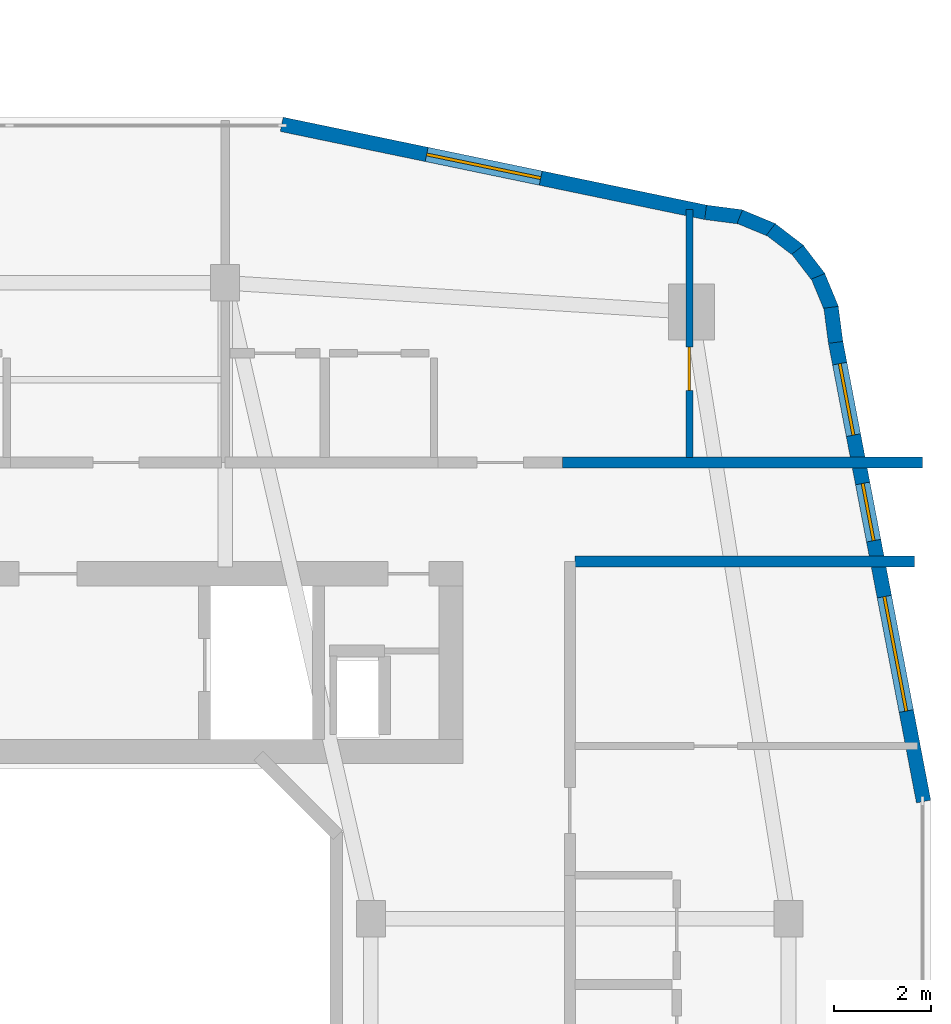
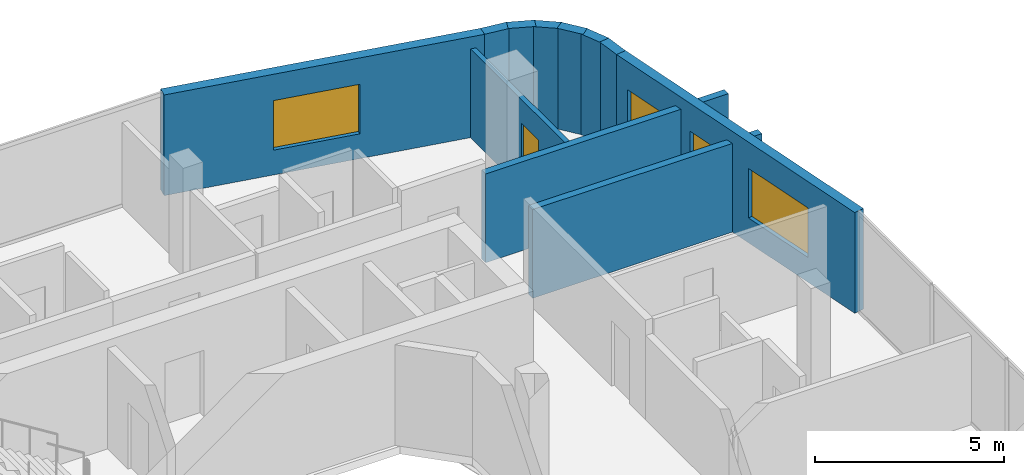
# One storey, part 21 of 27: 11 walls, 4 windows, 1 door, 5 openings.
"""IFC4 building model written with IfcOpenShell, lengths in metres."""

from ifc_helpers import new_model, si_unit, derived_unit, direction, frame, frame_2d, origin, place, context, subcontext, project, spatial, rectangle, extrude, material, layer, layer_set, type_object, element, fill, save


model = new_model("IFC4")

# Units and contexts
model_context = context("Model", 3, precision=1e-05, world=origin(), true_north=direction((0.0, 1.0)))
body_context = subcontext(model_context, "Body", "Model", "MODEL_VIEW")
ifc_project = project(units=[si_unit("LENGTHUNIT", "METRE"), si_unit("AREAUNIT", "SQUARE_METRE"), si_unit("VOLUMEUNIT", "CUBIC_METRE"), si_unit("PLANEANGLEUNIT", "RADIAN"), si_unit("MASSUNIT", "GRAM", prefix="KILO"), derived_unit("THERMALTRANSMITTANCEUNIT", [(si_unit("POWERUNIT", "WATT"), 1), (si_unit("LENGTHUNIT", "METRE"), -2), (si_unit("THERMODYNAMICTEMPERATUREUNIT", "KELVIN"), -1)])], contexts=[model_context])

# Site, building, storey
site_placement = place(None, origin())
site = spatial("IfcSite", under=ifc_project, at=site_placement, CompositionType="ELEMENT")
building_placement = place(site_placement, origin())
building = spatial("IfcBuilding", under=site, at=building_placement, Name="Kivonza Crest Hotel", CompositionType="ELEMENT")
storey_placement = place(building_placement, frame((0.0, 0.0, 73.0)))
storey = spatial("IfcBuildingStorey", under=building, at=storey_placement, Name="L19", CompositionType="ELEMENT", Elevation=73.0)

# Walls
ifc_material_1 = material(Name="Autoclaved aerated concrete blockwork", Category="masonry")
ifc_layer_1 = layer(ifc_material_1, 0.219970703125)
ifc_layer_set_1 = layer_set([ifc_layer_1], Name="Autoclaved aerated concrete blockwork")
wall_type_1 = type_object("IfcWallType", Name="WL-ACOU-220", PredefinedType="SOLIDWALL", material=ifc_layer_set_1)
wall_1_placement = place(storey_placement, frame((88.35009765625, 37.89990234375, 0.0), z_axis=(0.0, 0.0, 1.0), x_axis=(1.0, 0.0, 0.0)))
element("IfcWall", 1, at=wall_1_placement, inside=storey, type_object=wall_type_1, Name="L19 interior partition WA-L19-A03-RCORR", PredefinedType="SOLIDWALL", context=body_context, shape_type="SweptSolid", body=[
    extrude(rectangle(XDim=7.409912109375, YDim=0.219970703125, at=frame_2d((3.705078125, 0.0))), origin(), (0.0, 0.0, 1.0), 2.864990234375),
])
wall_2_placement = place(storey_placement, frame((88.60009765625, 35.860107421875, 0.0), z_axis=(0.0, 0.0, 1.0), x_axis=(1.0, 0.0, 0.0)))
element("IfcWall", 2, at=wall_2_placement, inside=storey, type_object=wall_type_1, Name="L19 interior partition WA-L19-T2E-ENDN", PredefinedType="SOLIDWALL", context=body_context, shape_type="SweptSolid", body=[
    extrude(rectangle(XDim=7.0, YDim=0.219970703125, at=frame_2d((3.5, 0.0))), origin(), (0.0, 0.0, 1.0), 2.864990234375),
])

# Wall, openings, windows
ifc_material_2 = material(Name="Precast concrete C40/50", Category="concrete")
ifc_layer_2 = layer(ifc_material_2, 0.300048828125)
ifc_layer_set_2 = layer_set([ifc_layer_2], Name="Precast concrete C40/50")
wall_type_2 = type_object("IfcWallType", Name="WL-EXT-300", PredefinedType="STANDARD", material=ifc_layer_set_2)
wall_3_placement = place(storey_placement, frame((95.782958984375, 30.91796875, 0.0), z_axis=(0.0, 0.0, 1.0), x_axis=(-0.188087874316, 0.982152203854, 0.0)))
wall_3 = element("IfcWall", 3, at=wall_3_placement, inside=storey, type_object=wall_type_2, Name="L19 T2 exterior insulated wall 18", PredefinedType="STANDARD", context=body_context, shape_type="SweptSolid", body=[
    extrude(rectangle(XDim=9.6337890625, YDim=0.300048828125, at=frame_2d((4.81689453125, 0.0))), origin(), (0.0, 0.0, 1.0), 3.25),
])
opening_1_placement = place(wall_3_placement, frame((1.89697265625, 0.0, 0.800048828125)))
opening_1 = element("IfcOpeningElement", 4, at=opening_1_placement, cuts=wall_3, Name="Opening WN-05", PredefinedType="OPENING", context=body_context, shape_type="SweptSolid", body=[
    extrude(rectangle(XDim=2.39990234375, YDim=1.60009765625, at=frame_2d((1.199951171875, 0.800048828125))), frame((0.0, 0.16015625, 0.0), z_axis=(0.0, -1.0, 0.0), x_axis=(1.0, 0.0, 0.0)), (0.0, 0.0, 1.0), 0.320068359375),
])
opening_2_placement = place(wall_3_placement, frame((5.469970703125, 0.0, 0.85009765625)))
opening_2 = element("IfcOpeningElement", 5, at=opening_2_placement, cuts=wall_3, Name="Opening WN-01", PredefinedType="OPENING", context=body_context, shape_type="SweptSolid", body=[
    extrude(rectangle(XDim=1.199951171875, YDim=1.5, at=frame_2d((0.60009765625, 0.75))), frame((0.0, 0.16015625, 0.0), z_axis=(0.0, -1.0, 0.0), x_axis=(1.0, 0.0, 0.0)), (0.0, 0.0, 1.0), 0.320068359375),
])
opening_3_placement = place(wall_3_placement, frame((7.681884765625, 0.0, 0.85009765625)))
opening_3 = element("IfcOpeningElement", 6, at=opening_3_placement, cuts=wall_3, Name="Opening WN-02", PredefinedType="OPENING", context=body_context, shape_type="SweptSolid", body=[
    extrude(rectangle(XDim=1.5, YDim=1.5, at=frame_2d((0.75, 0.75))), frame((0.0, 0.16015625, 0.0), z_axis=(0.0, -1.0, 0.0), x_axis=(1.0, 0.0, 0.0)), (0.0, 0.0, 1.0), 0.320068359375),
])
ifc_material_3 = material(Name="Thermally broken bronze aluminium and low-E double glazing", Category="aluminium")
window_type_1 = type_object("IfcWindowType", Name="WN-120x150", PartitioningType="SINGLE_PANEL", PredefinedType="WINDOW", material=ifc_material_3)
window_1_placement = place(opening_2_placement, origin())
window_1 = element("IfcWindow", 7, at=window_1_placement, inside=storey, type_object=window_type_1, Name="L19 T2 facade window 18 bay 2", OverallHeight=1.5, OverallWidth=1.199951171875, PartitioningType="SINGLE_PANEL", PredefinedType="WINDOW", context=body_context, shape_type="SweptSolid", body=[
    extrude(rectangle(XDim=1.199951171875, YDim=1.5, at=frame_2d((0.60009765625, 0.75))), frame((0.0, 0.030029296875, 0.0), z_axis=(0.0, -1.0, 0.0), x_axis=(1.0, 0.0, 0.0)), (0.0, 0.0, 1.0), 0.06005859375),
])
fill(opening_2, window_1)
window_type_2 = type_object("IfcWindowType", Name="WN-150x150", PartitioningType="DOUBLE_PANEL_VERTICAL", PredefinedType="WINDOW", material=ifc_material_3)
window_2_placement = place(opening_3_placement, origin())
window_2 = element("IfcWindow", 8, at=window_2_placement, inside=storey, type_object=window_type_2, Name="L19 T2 facade window 18 bay 3", OverallHeight=1.5, OverallWidth=1.5, PartitioningType="SINGLE_PANEL", PredefinedType="WINDOW", context=body_context, shape_type="SweptSolid", body=[
    extrude(rectangle(XDim=1.5, YDim=1.5, at=frame_2d((0.75, 0.75))), frame((0.0, 0.030029296875, 0.0), z_axis=(0.0, -1.0, 0.0), x_axis=(1.0, 0.0, 0.0)), (0.0, 0.0, 1.0), 0.06005859375),
])
fill(opening_3, window_2)
window_type_3 = type_object("IfcWindowType", Name="WN-240x160", PartitioningType="TRIPLE_PANEL_VERTICAL", PredefinedType="WINDOW", material=ifc_material_3)
window_3_placement = place(opening_1_placement, origin())
window_3 = element("IfcWindow", 9, at=window_3_placement, inside=storey, type_object=window_type_3, Name="L19 T2 facade window 18 bay 1", OverallHeight=1.60009765625, OverallWidth=2.39990234375, PartitioningType="SINGLE_PANEL", PredefinedType="WINDOW", context=body_context, shape_type="SweptSolid", body=[
    extrude(rectangle(XDim=2.39990234375, YDim=1.60009765625, at=frame_2d((1.199951171875, 0.800048828125))), frame((0.0, 0.030029296875, 0.0), z_axis=(0.0, -1.0, 0.0), x_axis=(1.0, 0.0, 0.0)), (0.0, 0.0, 1.0), 0.06005859375),
])
fill(opening_1, window_3)

# Walls
wall_4_placement = place(storey_placement, frame((93.971923828125, 40.373046875, 0.0), z_axis=(0.0, 0.0, 1.0), x_axis=(-0.130255288807, 0.991480488834, 0.0)))
element("IfcWall", 10, at=wall_4_placement, inside=storey, type_object=wall_type_2, Name="L19 T2 exterior insulated wall 19", PredefinedType="STANDARD", context=body_context, shape_type="SweptSolid", body=[
    extrude(rectangle(XDim=0.72900390625, YDim=0.300048828125, at=frame_2d((0.364501953125, 0.0))), origin(), (0.0, 0.0, 1.0), 3.25),
])
wall_5_placement = place(storey_placement, frame((93.89599609375, 41.044921875, 0.0), z_axis=(0.0, 0.0, 1.0), x_axis=(-0.383267045233, 0.923637576129, 0.0)))
element("IfcWall", 11, at=wall_5_placement, inside=storey, type_object=wall_type_2, Name="L19 T2 exterior insulated wall 20", PredefinedType="STANDARD", context=body_context, shape_type="SweptSolid", body=[
    extrude(rectangle(XDim=0.745849609375, YDim=0.300048828125, at=frame_2d((0.373046875, 0.0))), origin(), (0.0, 0.0, 1.0), 3.25),
])
for number, where, z_axis, x_axis, name in (
    (12, (93.64111328125, 41.68896484375, 0.0), (0.0, 0.0, 1.0), (-0.608603261071, 0.793474681772, 0.0), "L19 T2 exterior insulated wall 21"),
    (13, (93.22900390625, 42.24609375, 0.0), (0.0, 0.0, 1.0), (-0.79363269798, 0.608397189915, 0.0), "L19 T2 exterior insulated wall 22"),
):
    element("IfcWall", number, at=place(storey_placement, frame(where, z_axis=z_axis, x_axis=x_axis)), inside=storey, type_object=wall_type_2, Name=name, PredefinedType="STANDARD", context=body_context, shape_type="SweptSolid", body=[
        extrude(rectangle(XDim=0.74609375, YDim=0.300048828125, at=frame_2d((0.373046875, 0.0))), origin(), (0.0, 0.0, 1.0), 3.25),
    ])
wall_6_placement = place(storey_placement, frame((92.68603515625, 42.676025390625, 0.0), z_axis=(0.0, 0.0, 1.0), x_axis=(-0.923637576129, 0.383267045233, 0.0)))
element("IfcWall", 14, at=wall_6_placement, inside=storey, type_object=wall_type_2, Name="L19 T2 exterior insulated wall 23", PredefinedType="STANDARD", context=body_context, shape_type="SweptSolid", body=[
    extrude(rectangle(XDim=0.745849609375, YDim=0.300048828125, at=frame_2d((0.373046875, 0.0))), origin(), (0.0, 0.0, 1.0), 3.25),
])
wall_7_placement = place(storey_placement, frame((92.051025390625, 42.952880859375, 0.0), z_axis=(0.0, 0.0, 1.0), x_axis=(-0.991559404866, 0.129653178221, 0.0)))
element("IfcWall", 15, at=wall_7_placement, inside=storey, type_object=wall_type_2, Name="L19 T2 exterior insulated wall 24", PredefinedType="STANDARD", context=body_context, shape_type="SweptSolid", body=[
    extrude(rectangle(XDim=0.764404296875, YDim=0.300048828125, at=frame_2d((0.38232421875, 0.0))), origin(), (0.0, 0.0, 1.0), 3.25),
])

# Wall, opening, window
wall_8_placement = place(storey_placement, frame((91.298095703125, 43.051025390625, 0.0), z_axis=(0.0, 0.0, 1.0), x_axis=(-0.979128391325, 0.203242695569, 0.0)))
wall_8 = element("IfcWall", 16, at=wall_8_placement, inside=storey, type_object=wall_type_2, Name="L19 T2 exterior insulated wall 25", PredefinedType="STANDARD", context=body_context, shape_type="SweptSolid", body=[
    extrude(rectangle(XDim=8.92041015625, YDim=0.300048828125, at=frame_2d((4.460205078125, 0.0))), origin(), (0.0, 0.0, 1.0), 3.25),
])
opening_4_placement = place(wall_8_placement, frame((3.471923828125, 0.0, 0.800048828125)))
opening_4 = element("IfcOpeningElement", 17, at=opening_4_placement, cuts=wall_8, Name="Opening WN-05", PredefinedType="OPENING", context=body_context, shape_type="SweptSolid", body=[
    extrude(rectangle(XDim=2.39990234375, YDim=1.60009765625, at=frame_2d((1.199951171875, 0.800048828125))), frame((0.0, 0.16015625, 0.0), z_axis=(0.0, -1.0, 0.0), x_axis=(1.0, 0.0, 0.0)), (0.0, 0.0, 1.0), 0.320068359375),
])
window_4_placement = place(opening_4_placement, origin())
window_4 = element("IfcWindow", 18, at=window_4_placement, inside=storey, type_object=window_type_3, Name="L19 T2 facade window 25", OverallHeight=1.60009765625, OverallWidth=2.39990234375, PartitioningType="SINGLE_PANEL", PredefinedType="WINDOW", context=body_context, shape_type="SweptSolid", body=[
    extrude(rectangle(XDim=2.39990234375, YDim=1.60009765625, at=frame_2d((1.199951171875, 0.800048828125))), frame((0.0, 0.030029296875, 0.0), z_axis=(0.0, -1.0, 0.0), x_axis=(1.0, 0.0, 0.0)), (0.0, 0.0, 1.0), 0.06005859375),
])
fill(opening_4, window_4)

# Wall, opening, door
ifc_material_4 = material(Name="Twin-stud acoustic gypsum board partition", Category="gypsum")
ifc_layer_3 = layer(ifc_material_4, 0.14990234375)
ifc_layer_set_3 = layer_set([ifc_layer_3], Name="Twin-stud acoustic gypsum board partition")
wall_type_3 = type_object("IfcWallType", Name="WL-PART-150", PredefinedType="PARTITIONING", material=ifc_layer_set_3)
wall_9_placement = place(storey_placement, frame((90.9599609375, 38.0, 0.0), z_axis=(0.0, 0.0, 1.0), x_axis=(0.0, 1.0, 0.0)))
wall_9 = element("IfcWall", 19, at=wall_9_placement, inside=storey, type_object=wall_type_3, Name="L19 interior partition WP-L19-A03-BDW1", PredefinedType="PARTITIONING", context=body_context, shape_type="SweptSolid", body=[
    extrude(rectangle(XDim=5.113037109375, YDim=0.14990234375, at=frame_2d((2.556640625, 0.0))), origin(), (0.0, 0.0, 1.0), 2.864990234375),
])
opening_5_placement = place(wall_9_placement, frame((1.3798828125, 0.0, 0.0)))
opening_5 = element("IfcOpeningElement", 20, at=opening_5_placement, cuts=wall_9, Name="Opening DI-90", PredefinedType="OPENING", context=body_context, shape_type="SweptSolid", body=[
    extrude(rectangle(XDim=0.89990234375, YDim=2.10009765625, at=frame_2d((0.449951171875, 1.050048828125))), frame((0.0, 0.0849609375, 0.0), z_axis=(0.0, -1.0, 0.0), x_axis=(1.0, 0.0, 0.0)), (0.0, 0.0, 1.0), 0.169921875),
])
ifc_material_5 = material(Name="Hardwood timber oak", Category="wood")
door_type = type_object("IfcDoorType", Name="DR-INT-900", OperationType="NOTDEFINED", PredefinedType="DOOR", material=ifc_material_5)
door_placement = place(opening_5_placement, origin())
door = element("IfcDoor", 21, at=door_placement, inside=storey, type_object=door_type, Name="L19 A03 bedroom 1 door", OperationType="SINGLE_SWING_RIGHT", OverallHeight=2.10009765625, OverallWidth=0.89990234375, PredefinedType="DOOR", context=body_context, shape_type="SweptSolid", body=[
    extrude(rectangle(XDim=0.89990234375, YDim=2.10009765625, at=frame_2d((0.449951171875, 1.050048828125))), frame((0.0, 0.02490234375, 0.0), z_axis=(0.0, -1.0, 0.0), x_axis=(1.0, 0.0, 0.0)), (0.0, 0.0, 1.0), 0.050048828125),
])
fill(opening_5, door)

save(model, "model.ifc")
